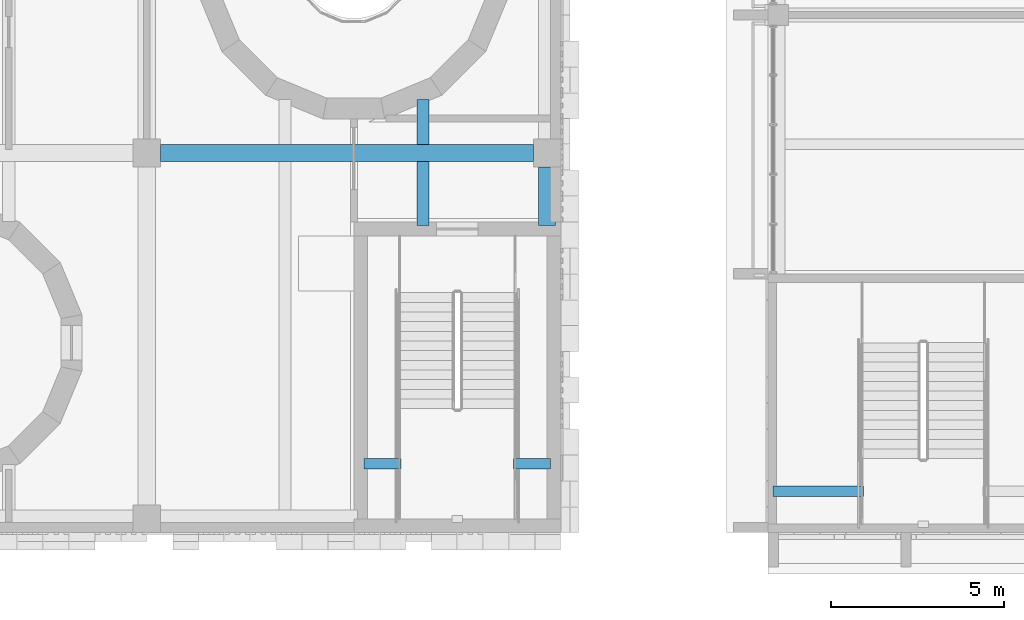
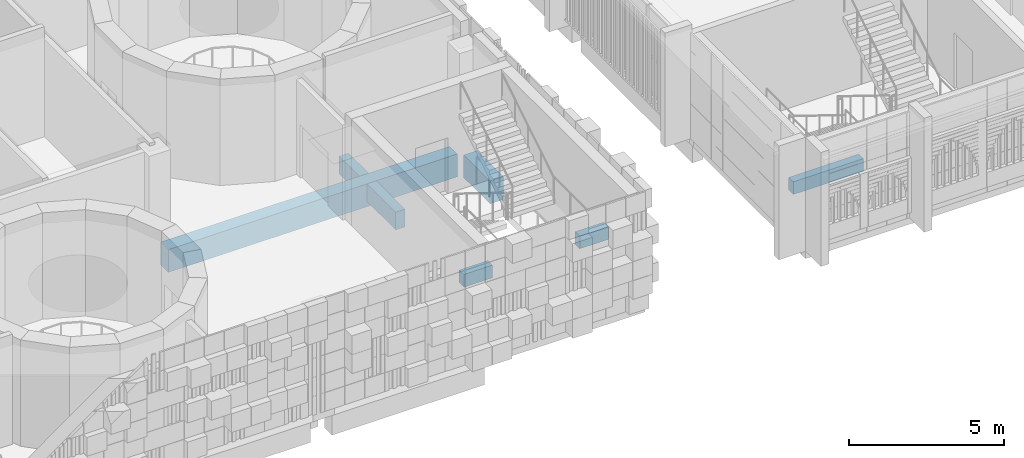
# One storey, part 17 of 92: 7 beams.
"""IFC4 building model written with IfcOpenShell, lengths in metres."""

from ifc_helpers import new_model, si_unit, direction, frame, origin, origin_2d, place, context, subcontext, project, spatial, rectangle, extrude, material, material_profile, profile_set, type_object, element, save


model = new_model("IFC4")

# Units and contexts
model_context = context("Model", 3, precision=1e-05, world=origin(), true_north=direction((0.0, 1.0)))
body_context = subcontext(model_context, "Body", "Model", "MODEL_VIEW")
ifc_project = project(units=[si_unit("LENGTHUNIT", "METRE"), si_unit("AREAUNIT", "SQUARE_METRE"), si_unit("VOLUMEUNIT", "CUBIC_METRE"), si_unit("PLANEANGLEUNIT", "RADIAN"), si_unit("MASSUNIT", "GRAM", prefix="KILO")], contexts=[model_context])

# Site, building, storey
site_placement = place(None, origin())
site = spatial("IfcSite", under=ifc_project, at=site_placement, CompositionType="ELEMENT")
building_placement = place(site_placement, origin())
building = spatial("IfcBuilding", under=site, at=building_placement, Name="Sun Court Science Centre", CompositionType="ELEMENT")
storey_placement = place(building_placement, frame((0.0, 0.0, 11.25)))
storey = spatial("IfcBuildingStorey", under=building, at=storey_placement, Name="L02", CompositionType="ELEMENT", Elevation=11.25)

# Beams
ifc_material_1 = material(Name="Concrete C25/30", Category="concrete")
ifc_material_profile_1 = material_profile(ifc_material_1, rectangle(XDim=0.5, YDim=0.89990234375, at=origin_2d()), Name="RC 500x900")
ifc_profile_set_1 = profile_set([ifc_material_profile_1], Name="Concrete C25/30")
beam_type_1 = type_object("IfcBeamType", Name="RC girder 500x900", PredefinedType="BEAM", material=ifc_profile_set_1)
beam_1_placement = place(storey_placement, frame((60.39990234375, 17.0, -0.75), z_axis=(1.0, 0.0, 0.0), x_axis=(0.0, 1.0, 0.0)))
element("IfcBeam", 1, at=beam_1_placement, inside=storey, type_object=beam_type_1, Name="Girder L02 line 2", PredefinedType="BEAM", context=body_context, shape_type="SweptSolid", body=[
    extrude(rectangle(XDim=0.5, YDim=0.89990234375, at=origin_2d()), origin(), (0.0, 0.0, 1.0), 10.800048828125),
])
beam_2_placement = place(storey_placement, frame((71.60009765625, 14.89990234375, -0.75), z_axis=(0.0, 1.0, 0.0), x_axis=(-1.0, 0.0, 0.0)))
element("IfcBeam", 2, at=beam_2_placement, inside=storey, type_object=beam_type_1, Name="Girder L02 line G", PredefinedType="BEAM", context=body_context, shape_type="SweptSolid", body=[
    extrude(rectangle(XDim=0.5, YDim=0.89990234375, at=origin_2d()), origin(), (0.0, 0.0, 1.0), 1.7001953125),
])
ifc_material_2 = material(Name="Concrete C25/30", Category="concrete")
ifc_material_profile_2 = material_profile(ifc_material_2, rectangle(XDim=0.35009765625, YDim=0.699951171875, at=origin_2d()), Name="RC 350x700")
ifc_profile_set_2 = profile_set([ifc_material_profile_2], Name="Concrete C25/30")
beam_type_2 = type_object("IfcBeamType", Name="RC joist 350x700", PredefinedType="JOIST", material=ifc_profile_set_2)
beam_3_placement = place(storey_placement, frame((68.0, 14.89990234375, -0.64990234375), z_axis=(0.0, 1.0, 0.0), x_axis=(-1.0, 0.0, 0.0)))
element("IfcBeam", 3, at=beam_3_placement, inside=storey, type_object=beam_type_2, Name="Joist L02", PredefinedType="JOIST", context=body_context, shape_type="SweptSolid", body=[
    extrude(rectangle(XDim=0.35009765625, YDim=0.699951171875, at=origin_2d()), origin(), (0.0, 0.0, 1.0), 1.85009765625),
])
beam_4_placement = place(storey_placement, frame((68.0, 17.25, -0.64990234375), z_axis=(0.0, 1.0, 0.0), x_axis=(-1.0, 0.0, 0.0)))
element("IfcBeam", 4, at=beam_4_placement, inside=storey, type_object=beam_type_2, Name="Joist L02", PredefinedType="JOIST", context=body_context, shape_type="SweptSolid", body=[
    extrude(rectangle(XDim=0.35009765625, YDim=0.699951171875, at=origin_2d()), origin(), (0.0, 0.0, 1.0), 1.30322265625),
])
ifc_material_3 = material(Name="Concrete C25/30", Category="concrete")
ifc_material_profile_3 = material_profile(ifc_material_3, rectangle(XDim=0.300048828125, YDim=0.5, at=origin_2d()), Name="RC 300x500")
ifc_profile_set_3 = profile_set([ifc_material_profile_3], Name="Concrete C25/30")
beam_type_3 = type_object("IfcBeamType", Name="RC landing trimmer 300x500", PredefinedType="BEAM", material=ifc_profile_set_3)
for number, where, z_axis, x_axis, name in (
    (5, (66.300048828125, 7.99609375, 1.800048828125), (1.0, 0.0, 0.0), (0.0, 1.0, 0.0), "SB3 landing 1 trimmer beam 7"),
    (6, (71.699951171875, 7.99609375, 1.800048828125), (-1.0, 0.0, 0.0), (0.0, -1.0, 0.0), "SB3 landing 1 trimmer beam 8"),
):
    element("IfcBeam", number, at=place(storey_placement, frame(where, z_axis=z_axis, x_axis=x_axis)), inside=storey, type_object=beam_type_3, Name=name, PredefinedType="BEAM", context=body_context, shape_type="SweptSolid", body=[
        extrude(rectangle(XDim=0.300048828125, YDim=0.5, at=origin_2d()), origin(), (0.0, 0.0, 1.0), 1.06689453125),
    ])
beam_5_placement = place(storey_placement, frame((78.14990234375, 7.196044921875, 1.800048828125), z_axis=(1.0, 0.0, 0.0), x_axis=(0.0, 1.0, 0.0)))
element("IfcBeam", 7, at=beam_5_placement, inside=storey, type_object=beam_type_3, Name="SL1 landing 1 trimmer beam 19", PredefinedType="BEAM", context=body_context, shape_type="SweptSolid", body=[
    extrude(rectangle(XDim=0.300048828125, YDim=0.5, at=origin_2d()), origin(), (0.0, 0.0, 1.0), 2.6171875),
])

save(model, "model.ifc")
